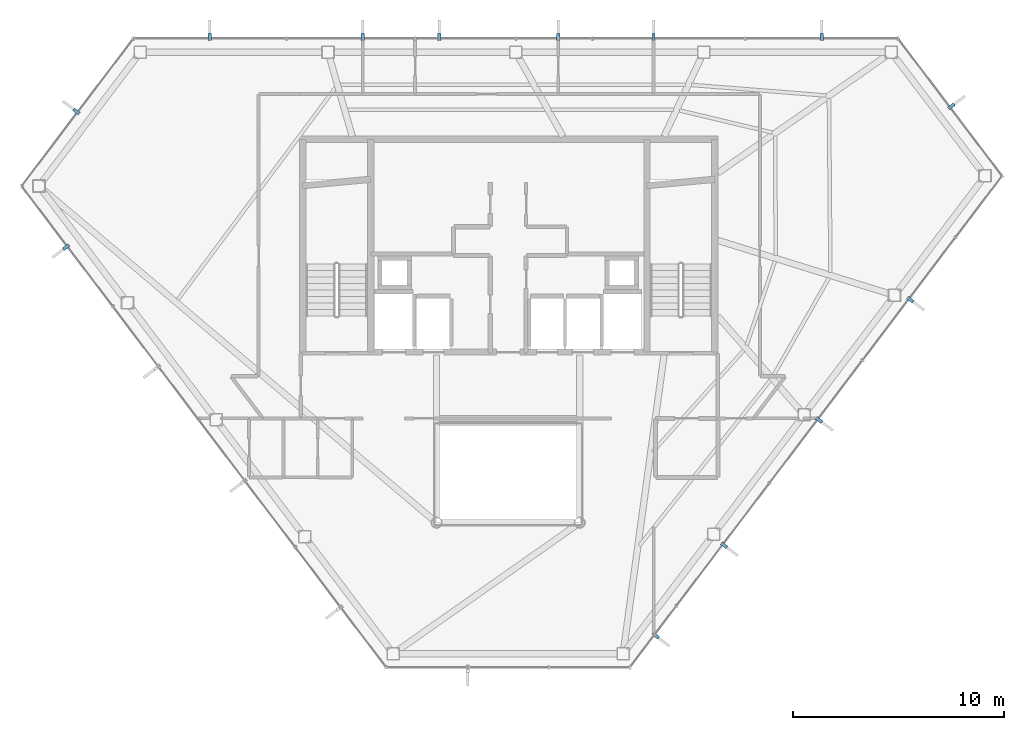
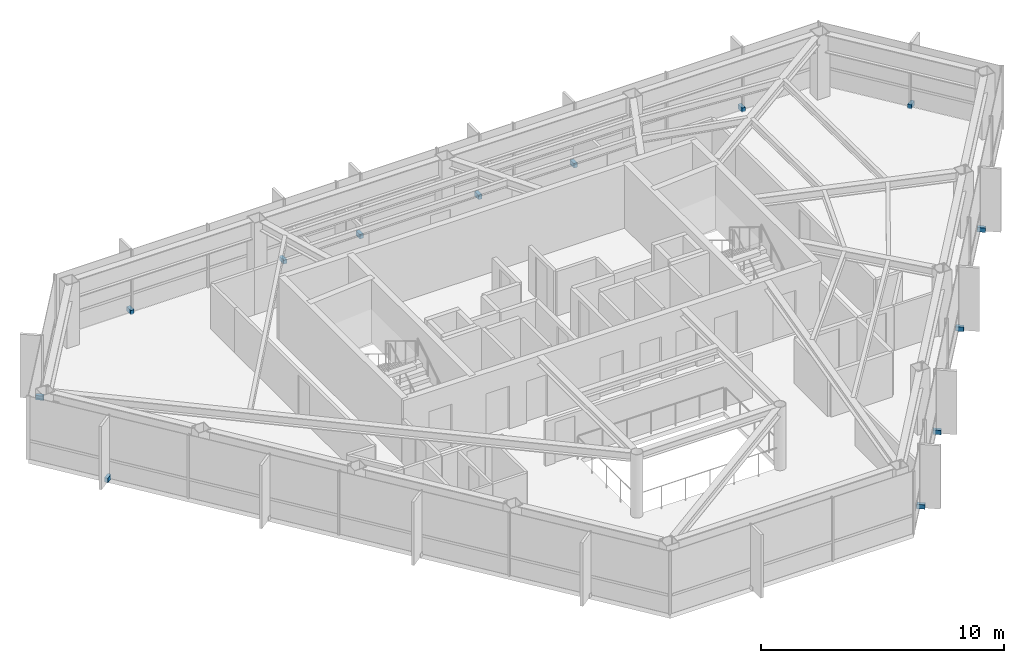
# One storey, part 26 of 27: 13 discrete accessories.
"""IFC4 building model written with IfcOpenShell, lengths in metres."""

from ifc_helpers import new_model, si_unit, direction, frame, origin, origin_2d, place, context, subcontext, project, spatial, rectangle, extrude, material, type_object, element, save


model = new_model("IFC4")

# Units and contexts
model_context = context("Model", 3, precision=1e-05, world=origin(), true_north=direction((0.0, 1.0)))
body_context = subcontext(model_context, "Body", "Model", "MODEL_VIEW")
ifc_project = project(units=[si_unit("LENGTHUNIT", "METRE"), si_unit("AREAUNIT", "SQUARE_METRE"), si_unit("VOLUMEUNIT", "CUBIC_METRE"), si_unit("PLANEANGLEUNIT", "RADIAN"), si_unit("MASSUNIT", "GRAM", prefix="KILO")], contexts=[model_context])

# Site, building, storey
site_placement = place(None, origin())
site = spatial("IfcSite", under=ifc_project, at=site_placement, CompositionType="ELEMENT")
building_placement = place(site_placement, origin())
building = spatial("IfcBuilding", under=site, at=building_placement, Name="Zarrinselat Tower", CompositionType="ELEMENT")
storey_placement = place(building_placement, frame((0.0, 0.0, 232.56005859375)))
storey = spatial("IfcBuildingStorey", under=building, at=storey_placement, Name="L58", CompositionType="ELEMENT", Elevation=232.56005859375)

# Discrete accessories
ifc_material = material(Name="Steel S355J2", Category="steel")
discrete_accessory_type = type_object("IfcDiscreteAccessoryType", Name="ACC-FIN-BRACKET", PredefinedType="BRACKET", material=ifc_material)
for number, where, z_axis, x_axis, name in (
    (1, (53.284912109375, 48.247802734375, -0.0498046875), (0.0, 0.0, 1.0), (0.0, 1.0, 0.0), "L58 Fin Fixing Bracket CW-L58-E01-01"),
    (2, (45.300048828125, 48.247802734375, -0.0498046875), (0.0, 0.0, 1.0), (0.0, 1.0, 0.0), "L58 Fin Fixing Bracket CW-L58-E01-03"),
    (3, (40.773681640625, 48.247802734375, -0.0498046875), (0.0, 0.0, 1.0), (0.0, 1.0, 0.0), "L58 Fin Fixing Bracket CW-L58-E01-05"),
    (4, (35.133056640625, 48.247802734375, -0.0498046875), (0.0, 0.0, 1.0), (0.0, 1.0, 0.0), "L58 Fin Fixing Bracket CW-L58-E01-07"),
    (5, (31.5, 48.247802734375, -0.0498046875), (0.0, 0.0, 1.0), (0.0, 1.0, 0.0), "L58 Fin Fixing Bracket CW-L58-E01-09"),
    (6, (24.241943359375, 48.247802734375, -0.0498046875), (0.0, 0.0, 1.0), (0.0, 1.0, 0.0), "L58 Fin Fixing Bracket CW-L58-E01-11"),
    (7, (17.905517578125, 44.721923828125, -0.0498046875), (0.0, 0.0, 1.0), (-0.797093643742, 0.603855713814, 0.0), "L58 Fin Fixing Bracket CW-L58-E02-01"),
    (8, (17.419189453125, 38.283203125, -0.0498046875), (0.0, 0.0, 1.0), (-0.7970923517, -0.603857419315, 0.0), "L58 Fin Fixing Bracket CW-L58-E03-01"),
    (9, (45.403564453125, 19.833251953125, -0.0498046875), (0.0, 0.0, 1.0), (0.797091251037, -0.603858872188, 0.0), "L58 Fin Fixing Bracket CW-L58-E05-01"),
    (10, (48.65380859375, 24.12353515625, -0.0498046875), (0.0, 0.0, 1.0), (0.797091251037, -0.603858872188, 0.0), "L58 Fin Fixing Bracket CW-L58-E05-03"),
    (11, (53.159912109375, 30.071533203125, -0.0498046875), (0.0, 0.0, 1.0), (0.797091251037, -0.603858872188, 0.0), "L58 Fin Fixing Bracket CW-L58-E05-05"),
    (12, (57.489990234375, 35.787109375, -0.0498046875), (0.0, 0.0, 1.0), (0.797091251037, -0.603858872188, 0.0), "L58 Fin Fixing Bracket CW-L58-E05-07"),
    (13, (59.439453125, 44.961669921875, -0.0498046875), (0.0, 0.0, 1.0), (0.797091791346, 0.603858158982, 0.0), "L58 Fin Fixing Bracket CW-L58-E06-01"),
):
    element("IfcDiscreteAccessory", number, at=place(storey_placement, frame(where, z_axis=z_axis, x_axis=x_axis)), inside=storey, type_object=discrete_accessory_type, Name=name, PredefinedType="BRACKET", context=body_context, shape_type="SweptSolid", body=[
        extrude(rectangle(XDim=0.340087890625, YDim=0.159912109375, at=origin_2d()), origin(), (0.0, 0.0, 1.0), 0.219970703125),
    ])

save(model, "model.ifc")
